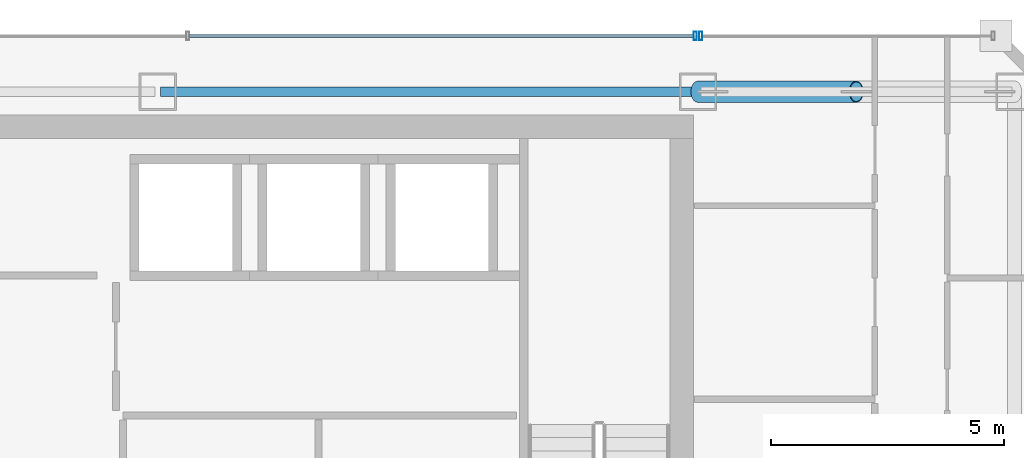
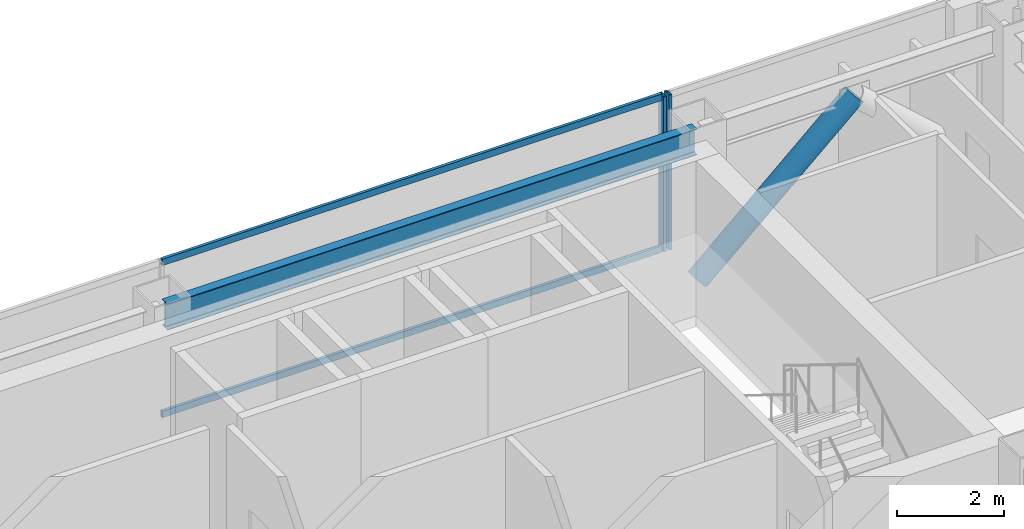
# One storey, part 26 of 35: 5 members, 1 beam, 2 elements without a shape of their own.
"""IFC4 building model written with IfcOpenShell, lengths in metres."""

from ifc_helpers import new_model, si_unit, direction, frame, origin, origin_2d, place, context, subcontext, project, spatial, hollow_rectangle, hollow_circle, i_section, extrude, material, material_profile, profile_set, type_object, element, aggregate, save


model = new_model("IFC4")

# Units and contexts
model_context = context("Model", 3, precision=1e-05, world=origin(), true_north=direction((0.0, 1.0)))
body_context = subcontext(model_context, "Body", "Model", "MODEL_VIEW")
ifc_project = project(units=[si_unit("LENGTHUNIT", "METRE"), si_unit("AREAUNIT", "SQUARE_METRE"), si_unit("VOLUMEUNIT", "CUBIC_METRE"), si_unit("PLANEANGLEUNIT", "RADIAN"), si_unit("MASSUNIT", "GRAM", prefix="KILO")], contexts=[model_context])

# Site, building, storey
site_placement = place(None, origin())
site = spatial("IfcSite", under=ifc_project, at=site_placement, CompositionType="ELEMENT")
building_placement = place(site_placement, origin())
building = spatial("IfcBuilding", under=site, at=building_placement, Name="Saevonmaru Cultural Tower", CompositionType="ELEMENT")
storey_placement = place(building_placement, frame((0.0, 0.0, 190.39990234375)))
storey = spatial("IfcBuildingStorey", under=building, at=storey_placement, Name="L43", CompositionType="ELEMENT", Elevation=190.39990234375)

# Beam
ifc_material_1 = material(Name="Steel SM355", Category="steel")
ifc_material_profile_1 = material_profile(ifc_material_1, i_section(OverallWidth=0.199951171875, OverallDepth=0.60009765625, WebThickness=0.010986328125, FlangeThickness=0.01708984375, FilletRadius=0.02197265625, at=origin_2d()), Name="H-600x200x11x17")
ifc_profile_set_1 = profile_set([ifc_material_profile_1], Name="Steel SM355")
beam_type = type_object("IfcBeamType", Name="BM-SP-H600", PredefinedType="SPANDREL", material=ifc_profile_set_1)
beam_placement = place(storey_placement, frame((34.860107421875, 54.800048828125, 3.25), z_axis=(1.0, 0.0, 0.0), x_axis=(0.0, 1.0, 0.0)))
element("IfcBeam", 1, at=beam_placement, inside=storey, type_object=beam_type, Name="L43 North Spine Girder 4", PredefinedType="SPANDREL", context=body_context, shape_type="SweptSolid", body=[
    extrude(i_section(OverallWidth=0.199951171875, OverallDepth=0.60009765625, WebThickness=0.010986328125, FlangeThickness=0.01708984375, FilletRadius=0.02197265625, at=origin_2d()), origin(), (0.0, 0.0, 1.0), 11.47998046875),
])

# Member
ifc_material_2 = material(Name="Steel SM420", Category="steel")
ifc_material_profile_2 = material_profile(ifc_material_2, hollow_circle(Radius=0.228515625, WallThickness=0.02001953125, at=origin_2d()), Name="CHS-457.2x20")
ifc_profile_set_2 = profile_set([ifc_material_profile_2], Name="Steel SM420")
member_type_1 = type_object("IfcMemberType", Name="MB-PBR-CHS457", PredefinedType="BRACE", material=ifc_profile_set_2)
member_1_placement = place(storey_placement, frame((46.39990234375, 54.800048828125, 0.02001953125), z_axis=(0.744390779303, 0.0, 0.66774423823), x_axis=(0.0, 1.0, 0.0)))
element("IfcMember", 2, at=member_1_placement, inside=storey, type_object=member_type_1, Name="L43 Perimeter Braced-Tube Diagonal EN1", PredefinedType="BRACE", context=body_context, shape_type="SweptSolid", body=[
    extrude(hollow_circle(Radius=0.228515625, WallThickness=0.02001953125, at=origin_2d()), origin(), (0.0, 0.0, 1.0), 4.567626953125),
])

# Curtain wall, member
ifc_material_3 = material(Name="Satin Bronze Anodised Aluminium", Category="aluminium")
curtain_wall_type = type_object("IfcCurtainWallType", Name="CW-TYP-B", PredefinedType="NOTDEFINED", material=ifc_material_3)
curtain_wall_1_placement = place(storey_placement, origin())
curtain_wall_1 = element("IfcCurtainWall", 3, at=curtain_wall_1_placement, inside=storey, type_object=curtain_wall_type, Name="L43 East Braced Bay Spandrel Curtain Wall E10A", PredefinedType="NOTDEFINED")
ifc_material_profile_3 = material_profile(ifc_material_3, hollow_rectangle(XDim=0.06494140625, YDim=0.179931640625, WallThickness=0.00390625, at=origin_2d()), Name="ALU-MULL-180x65x4")
ifc_profile_set_3 = profile_set([ifc_material_profile_3], Name="Satin Bronze Anodised Aluminium")
member_type_2 = type_object("IfcMemberType", Name="ML-CW-180x65", PredefinedType="MULLION", material=ifc_profile_set_3)
member_2_placement = place(storey_placement, frame((46.4599609375, 56.0, 0.0), z_axis=(0.0, 0.0, 1.0), x_axis=(-1.0, 0.0, 0.0)))
member_2 = element("IfcMember", 4, at=member_2_placement, type_object=member_type_2, Name="CW-TW-L43-E10A mullion 2", PredefinedType="MULLION", context=body_context, shape_type="SweptSolid", body=[
    extrude(hollow_rectangle(XDim=0.06494140625, YDim=0.179931640625, WallThickness=0.00390625, at=origin_2d()), origin(), (0.0, 0.0, 1.0), 3.550048828125),
])
aggregate(curtain_wall_1, [member_2])

# Curtain wall, members
curtain_wall_2_placement = place(storey_placement, origin())
curtain_wall_2 = element("IfcCurtainWall", 5, at=curtain_wall_2_placement, inside=storey, type_object=curtain_wall_type, Name="L43 North Spine Unitised Curtain Wall E10B", PredefinedType="NOTDEFINED")
member_3_placement = place(storey_placement, frame((46.340087890625, 56.0, 0.0), z_axis=(0.0, 0.0, 1.0), x_axis=(-1.0, 0.0, 0.0)))
member_3 = element("IfcMember", 6, at=member_3_placement, type_object=member_type_2, Name="CW-TW-L43-E10B mullion 1", PredefinedType="MULLION", context=body_context, shape_type="SweptSolid", body=[
    extrude(hollow_rectangle(XDim=0.06494140625, YDim=0.179931640625, WallThickness=0.00390625, at=origin_2d()), origin(), (0.0, 0.0, 1.0), 3.550048828125),
])
ifc_material_profile_4 = material_profile(ifc_material_3, hollow_rectangle(XDim=0.06494140625, YDim=0.14990234375, WallThickness=0.00390625, at=origin_2d()), Name="ALU-TRAN-150x65x4")
ifc_profile_set_4 = profile_set([ifc_material_profile_4], Name="Satin Bronze Anodised Aluminium")
member_type_3 = type_object("IfcMemberType", Name="TR-CW-150x65", PredefinedType="USERDEFINED", material=ifc_profile_set_4)
member_4_placement = place(storey_placement, frame((46.3076171875, 56.0, 0.03271484375), z_axis=(-1.0, 0.0, 0.0), x_axis=(0.0, -1.0, 0.0)))
member_4 = element("IfcMember", 7, at=member_4_placement, type_object=member_type_3, Name="CW-TW-L43-E10B transom 1.1", ObjectType="TRANSOM", PredefinedType="USERDEFINED", context=body_context, shape_type="SweptSolid", body=[
    extrude(hollow_rectangle(XDim=0.06494140625, YDim=0.14990234375, WallThickness=0.00390625, at=origin_2d()), origin(), (0.0, 0.0, 1.0), 10.828369140625),
])
member_5_placement = place(storey_placement, frame((46.3076171875, 56.0, 3.517578125), z_axis=(-1.0, 0.0, 0.0), x_axis=(0.0, -1.0, 0.0)))
member_5 = element("IfcMember", 8, at=member_5_placement, type_object=member_type_3, Name="CW-TW-L43-E10B transom 1.2", ObjectType="TRANSOM", PredefinedType="USERDEFINED", context=body_context, shape_type="SweptSolid", body=[
    extrude(hollow_rectangle(XDim=0.06494140625, YDim=0.14990234375, WallThickness=0.00390625, at=origin_2d()), origin(), (0.0, 0.0, 1.0), 10.828369140625),
])
aggregate(curtain_wall_2, [member_3, member_4, member_5])

save(model, "model.ifc")
